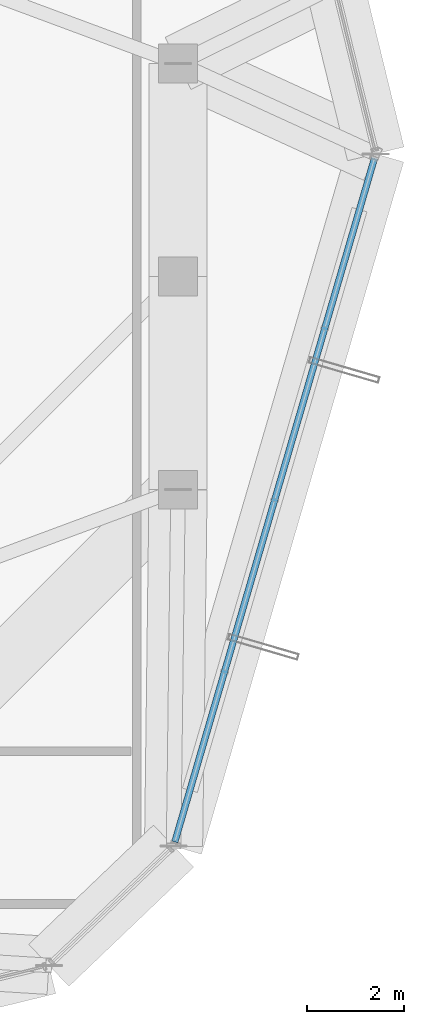
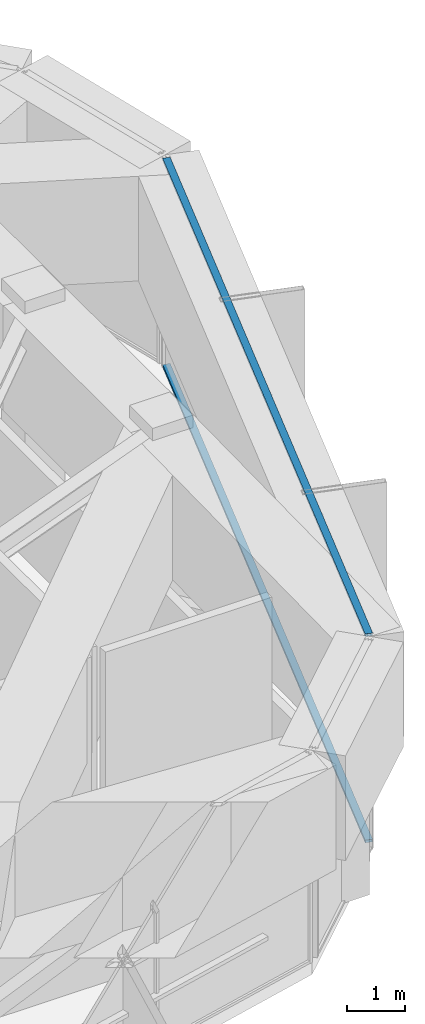
# One storey, part 27 of 39: 2 members, 1 element without a shape of its own.
"""IFC4 building model written with IfcOpenShell, lengths in metres."""

from ifc_helpers import new_model, si_unit, direction, frame, origin, origin_2d, place, context, subcontext, project, spatial, hollow_rectangle, extrude, source, transform, mapped, material, layer, layer_set, material_profile, profile_set, type_object, element, aggregate, save


model = new_model("IFC4")

# Units and contexts
model_context = context("Model", 3, precision=1e-05, world=origin(), true_north=direction((0.0, 1.0)))
body_context = subcontext(model_context, "Body", "Model", "MODEL_VIEW")
ifc_project = project(units=[si_unit("LENGTHUNIT", "METRE"), si_unit("AREAUNIT", "SQUARE_METRE"), si_unit("VOLUMEUNIT", "CUBIC_METRE"), si_unit("PLANEANGLEUNIT", "RADIAN"), si_unit("MASSUNIT", "GRAM", prefix="KILO")], contexts=[model_context])

# Site, building, storey
site_placement = place(None, origin())
site = spatial("IfcSite", under=ifc_project, at=site_placement, CompositionType="ELEMENT")
building_placement = place(site_placement, origin())
building = spatial("IfcBuilding", under=site, at=building_placement, Name="Veraguas Prism Commons", CompositionType="ELEMENT")
storey_placement = place(building_placement, frame((0.0, 0.0, 264.25)))
storey = spatial("IfcBuildingStorey", under=building, at=storey_placement, Name="L75", CompositionType="ELEMENT", Elevation=264.25)

# Curtain wall, members
ifc_material = material(Name="Anodised aluminium EN AW-6063 T6", Category="aluminium")
ifc_layer = layer(ifc_material, 0.14990234375, Name="Unitised Flush Curtain Wall Zone 4", Category="aluminium")
ifc_layer_set = layer_set([ifc_layer], Name="Anodised aluminium EN AW-6063 T6")
curtain_wall_type = type_object("IfcCurtainWallType", Name="Unitised Flush Curtain Wall Zone 4", PredefinedType="NOTDEFINED", material=ifc_layer_set)
curtain_wall_placement = place(storey_placement, origin())
curtain_wall = element("IfcCurtainWall", 1, at=curtain_wall_placement, inside=storey, type_object=curtain_wall_type, Name="Tower Facade Curtain Wall L75-F6", PredefinedType="NOTDEFINED")
ifc_material_profile = material_profile(ifc_material, hollow_rectangle(XDim=0.054931640625, YDim=0.135009765625, WallThickness=0.0029296875, at=origin_2d()), Name="AL55X135X3")
ifc_profile_set = profile_set([ifc_material_profile], Name="Anodised aluminium EN AW-6063 T6")
member_type = type_object("IfcMemberType", Name="Curtain Wall Transom Standard AL 55x135x3", PredefinedType="USERDEFINED", material=ifc_profile_set)
shared_shape = source(origin(), body_context, "Body", "SweptSolid", [
    extrude(hollow_rectangle(XDim=0.054931640625, YDim=0.135009765625, WallThickness=0.0029296875, at=origin_2d()), origin(), (0.0, 0.0, 1.0), 14.706298828125),
])
member_1_placement = place(storey_placement, frame((37.7333984375, 12.328857421875, 0.027587890625), z_axis=(0.280340395022, 0.95990065263, 0.0), x_axis=(0.0, 0.0, 1.0)))
member_1 = element("IfcMember", 2, at=member_1_placement, type_object=member_type, Name="CW-Z4 Transom 1", ObjectType="TRANSOM", PredefinedType="USERDEFINED", context=body_context, shape_type="MappedRepresentation", body=[
    mapped(shared_shape, transform((0.0, 0.0, 0.0), scale=1.0)),
])
member_2_placement = place(storey_placement, frame((37.7333984375, 12.328857421875, 4.362548828125), z_axis=(0.280340395022, 0.95990065263, 0.0), x_axis=(0.0, 0.0, 1.0)))
member_2 = element("IfcMember", 3, at=member_2_placement, type_object=member_type, Name="CW-Z4 Transom 2", ObjectType="TRANSOM", PredefinedType="USERDEFINED", context=body_context, shape_type="MappedRepresentation", body=[
    mapped(shared_shape, transform((0.0, 0.0, 0.0), scale=1.0)),
])
aggregate(curtain_wall, [member_1, member_2])

save(model, "model.ifc")
